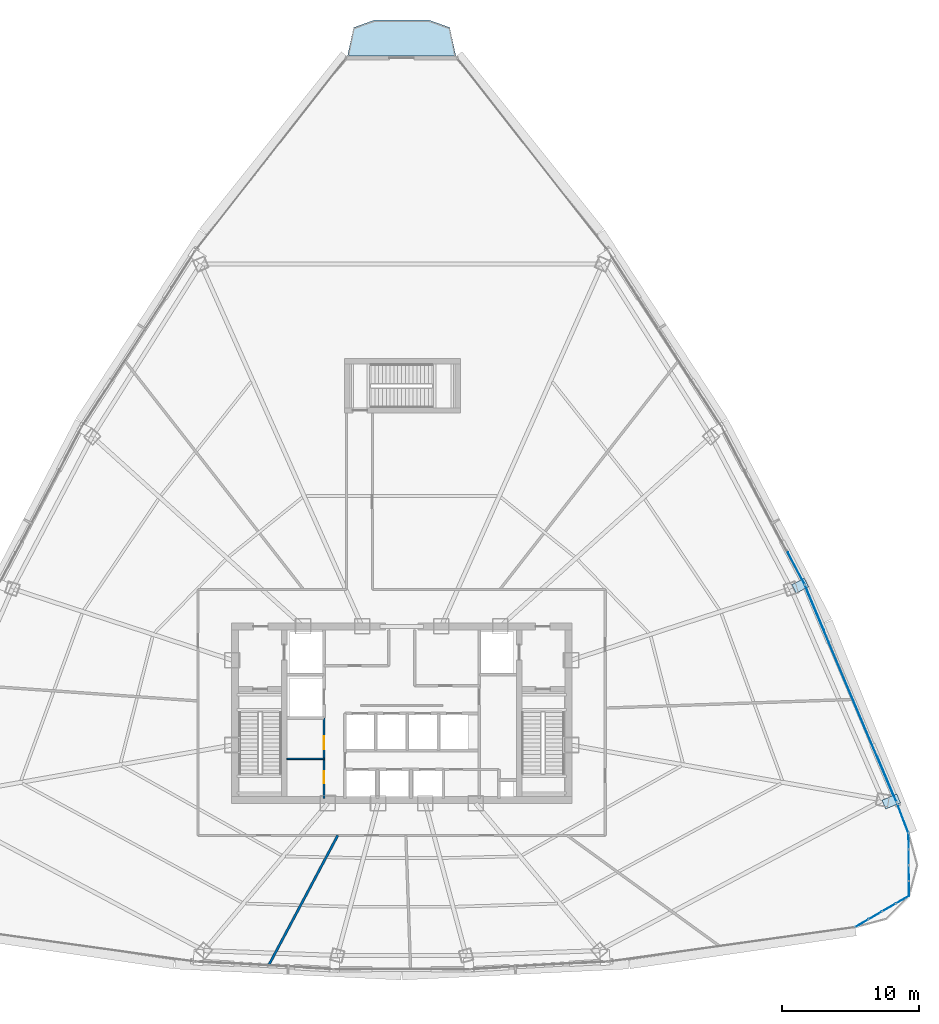
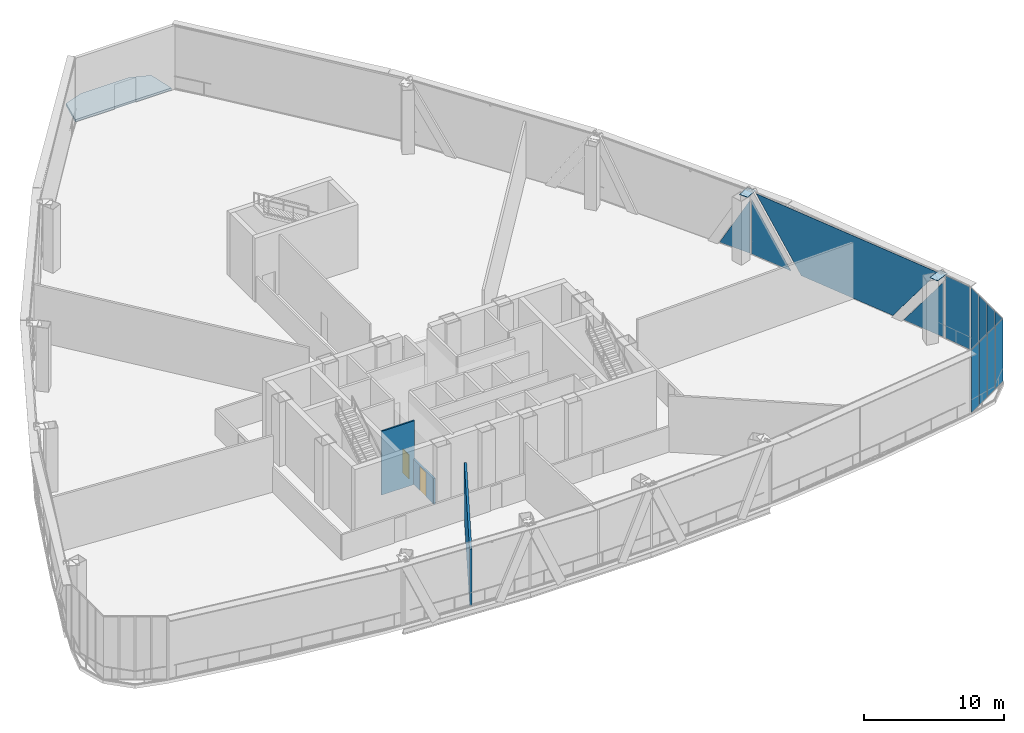
# One storey, part 29 of 38: 15 plates, 3 walls, 2 doors, 1 slab, 2 openings, 5 elements without a shape of their own.
"""IFC4 building model written with IfcOpenShell, lengths in metres."""

from ifc_helpers import new_model, si_unit, direction, frame, frame_2d, origin, origin_with_axes, origin_2d, place, context, subcontext, project, spatial, polyline, rectangle, outline, extrude, source, transform, mapped, material, layer, layer_set, type_object, element, fill, aggregate, save


model = new_model("IFC4")

# Units and contexts
model_context = context("Model", 3, precision=1e-05, world=origin(), true_north=direction((0.0, 1.0)))
body_context = subcontext(model_context, "Body", "Model", "MODEL_VIEW")
ifc_project = project(units=[si_unit("LENGTHUNIT", "METRE"), si_unit("AREAUNIT", "SQUARE_METRE"), si_unit("VOLUMEUNIT", "CUBIC_METRE"), si_unit("PLANEANGLEUNIT", "RADIAN"), si_unit("MASSUNIT", "GRAM", prefix="KILO"), si_unit("THERMODYNAMICTEMPERATUREUNIT", "KELVIN"), si_unit("POWERUNIT", "WATT")], contexts=[model_context])

# Site, building, storey
site_placement = place(None, origin())
site = spatial("IfcSite", under=ifc_project, at=site_placement, CompositionType="ELEMENT")
building_placement = place(site_placement, origin())
building = spatial("IfcBuilding", under=site, at=building_placement, Name="Yunzhuo Pagoda Commons", CompositionType="ELEMENT")
storey_placement = place(building_placement, frame((0.0, 0.0, 218.9599609375)))
storey = spatial("IfcBuildingStorey", under=building, at=storey_placement, Name="L55", CompositionType="ELEMENT", Elevation=218.9599609375)

# Curtain wall, plates
ifc_material_1 = material(Name="Anodized aluminium 6063-T6", Category="aluminium")
ifc_layer_1 = layer(ifc_material_1, 0.14990234375)
ifc_layer_set_1 = layer_set([ifc_layer_1], Name="Anodized aluminium 6063-T6")
curtain_wall_type_1 = type_object("IfcCurtainWallType", Name="CW-MID Mid-Zone Ribbon Curtain Wall", PredefinedType="NOTDEFINED", material=ifc_layer_set_1)
curtain_wall_1_placement = place(storey_placement, origin())
curtain_wall_1 = element("IfcCurtainWall", 1, at=curtain_wall_1_placement, inside=storey, type_object=curtain_wall_type_1, Name="L55 curtain wall CW-L55-F2B2", PredefinedType="NOTDEFINED")
ifc_material_2 = material(Name="Tempered low-e double glazing", Category="glass")
ifc_layer_2 = layer(ifc_material_2, 0.028076171875)
ifc_layer_set_2 = layer_set([ifc_layer_2], Name="Tempered low-e double glazing")
plate_type_1 = type_object("IfcPlateType", Name="CW-MID-P Low-E Double Glazing 28", PredefinedType="CURTAIN_PANEL", material=ifc_layer_set_2)
plate_1_placement = place(storey_placement, frame((83.5126953125, 28.99658203125, 2.452880859375), z_axis=(0.921188379256, 0.389116910355, 0.0), x_axis=(-0.389116910355, 0.921188379256, 0.0)))
plate_1 = element("IfcPlate", 2, at=plate_1_placement, type_object=plate_type_1, Name="CW panel 1.1 lite 1", PredefinedType="CURTAIN_PANEL", context=body_context, shape_type="SweptSolid", body=[
    extrude(outline(polyline([(-1.77685546875, -2.39794921875), (1.77685546875, -2.39794921875), (-1.77685546875, 2.39794921875), (-1.77685546875, -2.39794921875)])), origin(), (0.0, 0.0, 1.0), 0.028076171875),
])
plate_2_placement = place(storey_placement, frame((80.826416015625, 35.279296875, 2.78515625), z_axis=(0.921188379256, 0.389116910355, 0.0), x_axis=(-0.389116910355, 0.921188379256, 0.0)))
plate_2 = element("IfcPlate", 3, at=plate_2_placement, type_object=plate_type_1, Name="CW panel 1.1 lite 2", PredefinedType="CURTAIN_PANEL", context=body_context, shape_type="SweptSolid", body=[
    extrude(outline(polyline([(-8.15625, 2.72998046875), (-4.110107421875, -2.72998046875), (4.110107421875, -2.72998046875), (8.15625, 2.72998046875), (-8.15625, 2.72998046875)])), origin(), (0.0, 0.0, 1.0), 0.028076171875),
])
plate_3_placement = place(storey_placement, frame((78.195068359375, 41.58544921875, 2.452880859375), z_axis=(0.921188379256, 0.389116910355, 0.0), x_axis=(-0.389116910355, 0.921188379256, 0.0)))
plate_3 = element("IfcPlate", 4, at=plate_3_placement, type_object=plate_type_1, Name="CW panel 1.1 lite 3", PredefinedType="CURTAIN_PANEL", context=body_context, shape_type="SweptSolid", body=[
    extrude(outline(polyline([(-1.77685546875, -2.39794921875), (1.77685546875, -2.39794921875), (1.77685546875, 2.39794921875), (-1.77685546875, -2.39794921875)])), origin(), (0.0, 0.0, 1.0), 0.028076171875),
])
aggregate(curtain_wall_1, [plate_1, plate_2, plate_3])

# Curtain wall, plate
curtain_wall_2_placement = place(storey_placement, origin())
curtain_wall_2 = element("IfcCurtainWall", 5, at=curtain_wall_2_placement, inside=storey, type_object=curtain_wall_type_1, Name="L55 curtain wall CW-L55-F2B3", PredefinedType="NOTDEFINED")
plate_4_placement = place(storey_placement, frame((76.853759765625, 44.467529296875, 2.36767578125), z_axis=(0.884850366753, 0.465875335746, 0.0), x_axis=(-0.465875335746, 0.884850366753, 0.0)))
plate_4 = element("IfcPlate", 6, at=plate_4_placement, type_object=plate_type_1, Name="CW panel 1.1 lite 1", PredefinedType="CURTAIN_PANEL", context=body_context, shape_type="SweptSolid", body=[
    extrude(outline(polyline([(-1.2861328125, -2.3125), (1.2861328125, -2.3125), (-1.2861328125, 2.3125), (-1.2861328125, -2.3125)])), origin(), (0.0, 0.0, 1.0), 0.028076171875),
])
aggregate(curtain_wall_2, [plate_4])

# Slab
ifc_material_3 = material(Name="Concrete C40", Category="concrete")
ifc_layer_3 = layer(ifc_material_3, 0.199951171875)
ifc_layer_set_3 = layer_set([ifc_layer_3], Name="Concrete C40")
slab_type = type_object("IfcSlabType", Name="SL-BAL Vertex Balcony Deck Slab 200", PredefinedType="FLOOR", material=ifc_layer_set_3)
slab_placement = place(storey_placement, frame((0.0, 0.0, -0.199951171875)))
element("IfcSlab", 7, at=slab_placement, inside=storey, type_object=slab_type, Name="L55 corner balcony V3", PredefinedType="FLOOR", context=body_context, shape_type="SweptSolid", body=[
    extrude(outline(polyline([(51.968017578125, 81.939208984375), (44.031982421875, 81.939208984375), (44.482177734375, 84.0341796875), (46.01611328125, 84.583984375), (49.98388671875, 84.583984375), (51.517822265625, 84.0341796875), (51.968017578125, 81.939208984375)])), origin(), (0.0, 0.0, 1.0), 0.199951171875),
])

# Plates
ifc_material_4 = material(Name="Structural steel Q355B", Category="steel")
ifc_layer_4 = layer(ifc_material_4, 0.028076171875)
ifc_layer_set_4 = layer_set([ifc_layer_4], Name="Structural steel Q355B")
plate_type_2 = type_object("IfcPlateType", Name="SP-ND1 Lattice Node Cap Plate 800x500x28", PredefinedType="USERDEFINED", material=ifc_layer_set_4)
shared_shape_1 = source(origin(), body_context, "Body", "SweptSolid", [
    extrude(rectangle(XDim=0.699951171875, YDim=1.1806640625, at=origin_2d()), origin(), (0.0, 0.0, 1.0), 0.035888671875),
])
plate_5_placement = place(storey_placement, frame((83.83154296875, 27.3818359375, 5.5322265625), z_axis=(0.0, 0.0, 1.0), x_axis=(-0.38912395014, 0.921185405566, 0.0)))
element("IfcPlate", 8, at=plate_5_placement, inside=storey, type_object=plate_type_2, Name="L55 setback lattice tie plate F2.1L", ObjectType="STIFFENER_PLATE", PredefinedType="USERDEFINED", context=body_context, shape_type="MappedRepresentation", body=[
    mapped(shared_shape_1, transform((0.0, 0.0, 0.0), scale=1.0)),
])
shared_shape_2 = source(origin(), body_context, "Body", "SweptSolid", [
    extrude(rectangle(XDim=0.699951171875, YDim=1.032470703125, at=origin_2d()), origin(), (0.0, 0.0, 1.0), 0.035888671875),
])
plate_6_placement = place(storey_placement, frame((77.168701171875, 43.177490234375, 5.5322265625), z_axis=(0.0, 0.0, 1.0), x_axis=(-0.465877080944, 0.884849447901, 0.0)))
element("IfcPlate", 9, at=plate_6_placement, inside=storey, type_object=plate_type_2, Name="L55 setback lattice tie plate F2.2L", ObjectType="STIFFENER_PLATE", PredefinedType="USERDEFINED", context=body_context, shape_type="MappedRepresentation", body=[
    mapped(shared_shape_2, transform((0.0, 0.0, 0.0), scale=1.0)),
])

# Curtain wall, plate
curtain_wall_3_placement = place(storey_placement, origin())
curtain_wall_3 = element("IfcCurtainWall", 10, at=curtain_wall_3_placement, inside=storey, type_object=curtain_wall_type_1, Name="L55 curtain wall CW-L55-F2B1", PredefinedType="NOTDEFINED")
shared_shape_3 = source(origin(), body_context, "Body", "SweptSolid", [
    extrude(rectangle(XDim=2.2509765625, YDim=0.028076171875, at=origin_2d()), origin(), (0.0, 0.0, 1.0), 5.4599609375),
])
plate_7_placement = place(storey_placement, frame((84.68798828125, 26.13134765625, 0.05517578125), z_axis=(0.0, 0.0, 1.0), x_axis=(-0.354956816067, 0.934882697844, 0.0)))
plate_7 = element("IfcPlate", 11, at=plate_7_placement, type_object=plate_type_1, Name="CW panel 1.1", PredefinedType="CURTAIN_PANEL", context=body_context, shape_type="MappedRepresentation", body=[
    mapped(shared_shape_3, transform((0.0, 0.0, 0.0), scale=1.0)),
])
aggregate(curtain_wall_3, [plate_7])

# Curtain wall, plates
ifc_layer_5 = layer(ifc_material_1, 0.1298828125)
ifc_layer_set_5 = layer_set([ifc_layer_5], Name="Anodized aluminium 6063-T6")
curtain_wall_type_2 = type_object("IfcCurtainWallType", Name="CW-VTX Rounded Corner Curtain Wall", PredefinedType="NOTDEFINED", material=ifc_layer_set_5)
curtain_wall_4_placement = place(storey_placement, origin())
curtain_wall_4 = element("IfcCurtainWall", 12, at=curtain_wall_4_placement, inside=storey, type_object=curtain_wall_type_2, Name="L55 curtain wall CW-L55-VTX2S1", PredefinedType="NOTDEFINED")
ifc_layer_6 = layer(ifc_material_2, 0.02587890625)
ifc_layer_set_6 = layer_set([ifc_layer_6], Name="Tempered low-e double glazing")
plate_type_3 = type_object("IfcPlateType", Name="CW-VTX-P Low-E Double Glazing 26", PredefinedType="CURTAIN_PANEL", material=ifc_layer_set_6)
shared_shape_4 = source(origin(), body_context, "Body", "SweptSolid", [
    extrude(rectangle(XDim=1.068603515625, YDim=0.028076171875, at=origin_2d()), origin(), (0.0, 0.0, 1.0), 5.4599609375),
])
plate_8_placement = place(storey_placement, frame((81.690673828125, 18.47705078125, 0.05517578125), z_axis=(0.0, 0.0, 1.0), x_axis=(0.865431738084, 0.501026852291, 0.0)))
plate_8 = element("IfcPlate", 13, at=plate_8_placement, type_object=plate_type_3, Name="CW panel 1.1", PredefinedType="CURTAIN_PANEL", context=body_context, shape_type="MappedRepresentation", body=[
    mapped(shared_shape_4, transform((0.0, 0.0, 0.0), scale=1.0)),
])
plate_9_placement = place(storey_placement, frame((84.655029296875, 20.193359375, 0.05517578125), z_axis=(0.0, 0.0, 1.0), x_axis=(0.865431738084, 0.501026852291, 0.0)))
plate_9 = element("IfcPlate", 14, at=plate_9_placement, type_object=plate_type_3, Name="CW panel 4.1", PredefinedType="CURTAIN_PANEL", context=body_context, shape_type="MappedRepresentation", body=[
    mapped(shared_shape_4, transform((0.0, 0.0, 0.0), scale=1.0)),
])

curtain_wall_5_placement = place(storey_placement, origin())
curtain_wall_5 = element("IfcCurtainWall", 15, at=curtain_wall_5_placement, inside=storey, type_object=curtain_wall_type_2, Name="L55 curtain wall CW-L55-VTX2S2", PredefinedType="NOTDEFINED")
plate_10_placement = place(storey_placement, frame((85.123046875, 21.00830078125, 0.05517578125), z_axis=(0.0, 0.0, 1.0), x_axis=(-0.003583817119, 0.999993578107, 0.0)))
plate_10 = element("IfcPlate", 16, at=plate_10_placement, type_object=plate_type_3, Name="CW panel 1.1", PredefinedType="CURTAIN_PANEL", context=body_context, shape_type="MappedRepresentation", body=[
    mapped(shared_shape_4, transform((0.0, 0.0, 0.0), scale=1.0)),
])
plate_11_placement = place(storey_placement, frame((85.11083984375, 24.433837890625, 0.05517578125), z_axis=(0.0, 0.0, 1.0), x_axis=(-0.003583817119, 0.999993578107, 0.0)))
plate_11 = element("IfcPlate", 17, at=plate_11_placement, type_object=plate_type_3, Name="CW panel 4.1", PredefinedType="CURTAIN_PANEL", context=body_context, shape_type="MappedRepresentation", body=[
    mapped(shared_shape_4, transform((0.0, 0.0, 0.0), scale=1.0)),
])

# Plate
shared_shape_5 = source(origin(), body_context, "Body", "SweptSolid", [
    extrude(rectangle(XDim=1.095947265625, YDim=0.028076171875, at=origin_2d()), origin(), (0.0, 0.0, 1.0), 5.4599609375),
])
plate_12_placement = place(storey_placement, frame((82.6748046875, 19.046875, 0.05517578125), z_axis=(0.0, 0.0, 1.0), x_axis=(0.865431738084, 0.501026852291, 0.0)))
plate_12 = element("IfcPlate", 18, at=plate_12_placement, type_object=plate_type_3, Name="CW panel 2.1", PredefinedType="CURTAIN_PANEL", context=body_context, shape_type="MappedRepresentation", body=[
    mapped(shared_shape_5, transform((0.0, 0.0, 0.0), scale=1.0)),
])

plate_13_placement = place(storey_placement, frame((83.6708984375, 19.62353515625, 0.05517578125), z_axis=(0.0, 0.0, 1.0), x_axis=(0.865431738084, 0.501026852291, 0.0)))
plate_13 = element("IfcPlate", 19, at=plate_13_placement, type_object=plate_type_3, Name="CW panel 3.1", PredefinedType="CURTAIN_PANEL", context=body_context, shape_type="MappedRepresentation", body=[
    mapped(shared_shape_5, transform((0.0, 0.0, 0.0), scale=1.0)),
])

aggregate(curtain_wall_4, [plate_8, plate_12, plate_13, plate_9])

plate_14_placement = place(storey_placement, frame((85.118896484375, 22.1455078125, 0.05517578125), z_axis=(0.0, 0.0, 1.0), x_axis=(-0.003583817119, 0.999993578107, 0.0)))
plate_14 = element("IfcPlate", 20, at=plate_14_placement, type_object=plate_type_3, Name="CW panel 2.1", PredefinedType="CURTAIN_PANEL", context=body_context, shape_type="MappedRepresentation", body=[
    mapped(shared_shape_5, transform((0.0, 0.0, 0.0), scale=1.0)),
])

plate_15_placement = place(storey_placement, frame((85.114990234375, 23.296630859375, 0.05517578125), z_axis=(0.0, 0.0, 1.0), x_axis=(-0.003583817119, 0.999993578107, 0.0)))
plate_15 = element("IfcPlate", 21, at=plate_15_placement, type_object=plate_type_3, Name="CW panel 3.1", PredefinedType="CURTAIN_PANEL", context=body_context, shape_type="MappedRepresentation", body=[
    mapped(shared_shape_5, transform((0.0, 0.0, 0.0), scale=1.0)),
])

aggregate(curtain_wall_5, [plate_10, plate_14, plate_15, plate_11])

# Wall, openings, doors
ifc_material_5 = material(Name="Gypsum plasterboard on acoustic stud")
ifc_layer_7 = layer(ifc_material_5, 0.155029296875)
ifc_layer_set_7 = layer_set([ifc_layer_7], Name="Gypsum plasterboard on acoustic stud")
wall_type_1 = type_object("IfcWallType", Name="W-COR2 Mid-Zone Rated Corridor Wall 155", PredefinedType="PARTITIONING", material=ifc_layer_set_7)
wall_1_placement = place(storey_placement, frame((42.320068359375, 27.60009765625, 0.0), z_axis=(0.0, 0.0, 1.0), x_axis=(0.0, 1.0, 0.0)))
wall_1 = element("IfcWall", 22, at=wall_1_placement, inside=storey, type_object=wall_type_1, Name="L55 interior wall IW-L55-CSWE", PredefinedType="PARTITIONING", context=body_context, shape_type="SweptSolid", body=[
    extrude(rectangle(XDim=5.89990234375, YDim=0.155029296875, at=frame_2d((2.949951171875, 0.0))), origin(), (0.0, 0.0, 1.0), 2.219970703125),
])
opening_1_placement = place(wall_1_placement, frame((1.10009765625, 0.0, 0.0)))
opening_1 = element("IfcOpeningElement", 23, at=opening_1_placement, cuts=wall_1, Name="Opening D-03", PredefinedType="OPENING", context=body_context, shape_type="SweptSolid", body=[
    extrude(rectangle(XDim=0.89990234375, YDim=2.10009765625, at=frame_2d((0.449951171875, 1.050048828125))), frame((0.0, 0.08740234375, 0.0), z_axis=(0.0, -1.0, 0.0), x_axis=(1.0, 0.0, 0.0)), (0.0, 0.0, 1.0), 0.175048828125),
])
opening_2_placement = place(wall_1_placement, frame((3.60009765625, 0.0, 0.0)))
opening_2 = element("IfcOpeningElement", 24, at=opening_2_placement, cuts=wall_1, Name="Opening D-11", PredefinedType="OPENING", context=body_context, shape_type="SweptSolid", body=[
    extrude(rectangle(XDim=0.93994140625, YDim=2.10009765625, at=frame_2d((0.469970703125, 1.050048828125))), frame((0.0, 0.08740234375, 0.0), z_axis=(0.0, -1.0, 0.0), x_axis=(1.0, 0.0, 0.0)), (0.0, 0.0, 1.0), 0.175048828125),
])
ifc_material_6 = material(Name="Galvanized fire-resisting metal leaf")
door_type_1 = type_object("IfcDoorType", Name="D-03 Core Service Fire Door 900x2100", OperationType="NOTDEFINED", PredefinedType="DOOR", material=ifc_material_6)
shared_shape_6 = source(origin(), body_context, "Body", "SweptSolid", [
    extrude(rectangle(XDim=0.89990234375, YDim=2.10009765625, at=frame_2d((0.449951171875, 1.050048828125))), frame((0.0, 0.02490234375, 0.0), z_axis=(0.0, -1.0, 0.0), x_axis=(1.0, 0.0, 0.0)), (0.0, 0.0, 1.0), 0.050048828125),
])
door_1_placement = place(opening_1_placement, origin_with_axes())
door_1 = element("IfcDoor", 25, at=door_1_placement, inside=storey, type_object=door_type_1, Name="L55 housekeeping door", OperationType="SINGLE_SWING_RIGHT", OverallHeight=2.10009765625, OverallWidth=0.89990234375, PredefinedType="DOOR", context=body_context, shape_type="MappedRepresentation", body=[
    mapped(shared_shape_6, transform((0.0, 0.0, 0.0), scale=1.0)),
])
fill(opening_1, door_1)
door_type_2 = type_object("IfcDoorType", Name="D-11 Accessible Washroom Fire Door 940x2100", OperationType="NOTDEFINED", PredefinedType="DOOR", material=ifc_material_6)
shared_shape_7 = source(origin(), body_context, "Body", "SweptSolid", [
    extrude(rectangle(XDim=0.93994140625, YDim=2.10009765625, at=frame_2d((0.469970703125, 1.050048828125))), frame((0.0, 0.02490234375, 0.0), z_axis=(0.0, -1.0, 0.0), x_axis=(1.0, 0.0, 0.0)), (0.0, 0.0, 1.0), 0.050048828125),
])
door_2_placement = place(opening_2_placement, origin_with_axes())
door_2 = element("IfcDoor", 26, at=door_2_placement, inside=storey, type_object=door_type_2, Name="L55 core WC door", OperationType="SINGLE_SWING_RIGHT", OverallHeight=2.10009765625, OverallWidth=0.93994140625, PredefinedType="DOOR", context=body_context, shape_type="MappedRepresentation", body=[
    mapped(shared_shape_7, transform((0.0, 0.0, 0.0), scale=1.0)),
])
fill(opening_2, door_2)

# Walls
ifc_layer_8 = layer(ifc_material_5, 0.1201171875)
ifc_layer_set_8 = layer_set([ifc_layer_8], Name="Gypsum plasterboard on acoustic stud")
wall_type_2 = type_object("IfcWallType", Name="W-PRT1 Suite & Bathroom Partition 120", PredefinedType="PARTITIONING", material=ifc_layer_set_8)
wall_2_placement = place(storey_placement, frame((39.60009765625, 30.5, 0.0), z_axis=(0.0, 0.0, 1.0), x_axis=(1.0, 0.0, 0.0)))
element("IfcWall", 27, at=wall_2_placement, inside=storey, type_object=wall_type_2, Name="L55 interior wall IW-L55-CB1", PredefinedType="PARTITIONING", context=body_context, shape_type="SweptSolid", body=[
    extrude(rectangle(XDim=2.719970703125, YDim=0.1201171875, at=frame_2d((1.35986328125, 0.0))), origin(), (0.0, 0.0, 1.0), 5.570068359375),
])
ifc_layer_9 = layer(ifc_material_5, 0.175048828125)
ifc_layer_set_9 = layer_set([ifc_layer_9], Name="Gypsum plasterboard on acoustic stud")
wall_type_3 = type_object("IfcWallType", Name="W-PRT3 Mid-Zone Demising Wall 175", PredefinedType="PARTITIONING", material=ifc_layer_set_9)
wall_3_placement = place(storey_placement, frame((43.321044921875, 24.89990234375, 0.0), z_axis=(0.0, 0.0, 1.0), x_axis=(-0.469485148904, -0.882940368858, 0.0)))
element("IfcWall", 28, at=wall_3_placement, inside=storey, type_object=wall_type_3, Name="L55 interior wall IW-L55-SRAD5", PredefinedType="PARTITIONING", context=body_context, shape_type="SweptSolid", body=[
    extrude(rectangle(XDim=10.8017578125, YDim=0.175048828125, at=frame_2d((5.40087890625, 0.0))), origin(), (0.0, 0.0, 1.0), 4.919921875),
])

save(model, "model.ifc")
